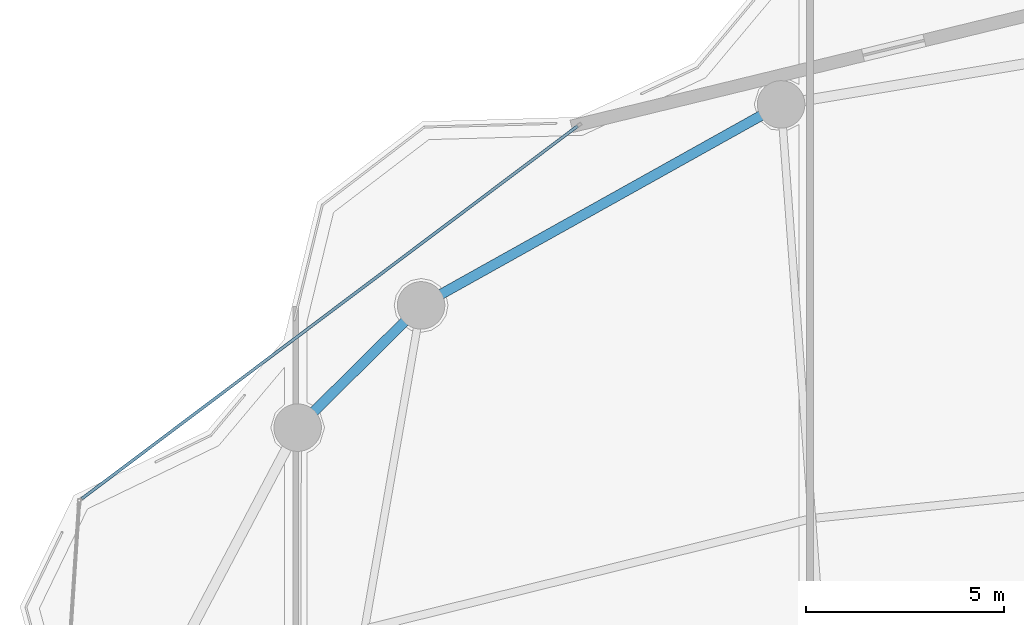
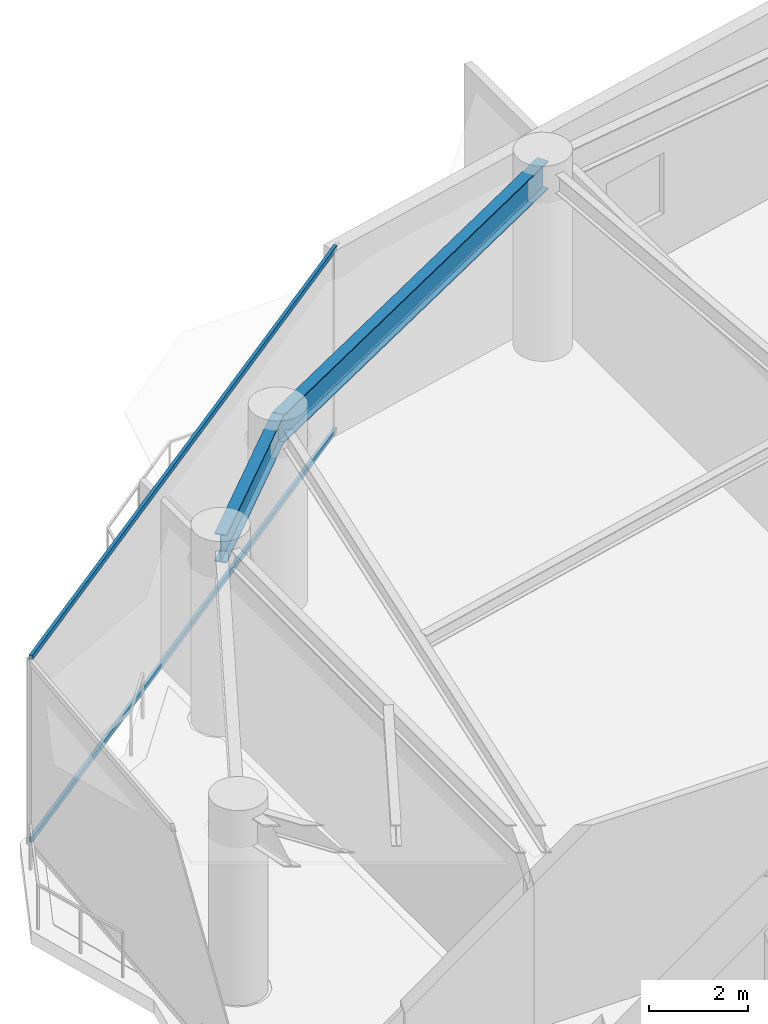
# One storey, part 17 of 30: 2 beams, 2 members, 1 element without a shape of its own.
"""IFC4 building model written with IfcOpenShell, lengths in metres."""

from ifc_helpers import new_model, si_unit, direction, frame, origin, origin_2d, place, context, subcontext, project, spatial, hollow_rectangle, i_section, extrude, material, layer, layer_set, material_profile, profile_set, type_object, element, aggregate, save


model = new_model("IFC4")

# Units and contexts
model_context = context("Model", 3, precision=1e-05, world=origin(), true_north=direction((0.0, 1.0)))
body_context = subcontext(model_context, "Body", "Model", "MODEL_VIEW")
ifc_project = project(units=[si_unit("LENGTHUNIT", "METRE"), si_unit("AREAUNIT", "SQUARE_METRE"), si_unit("VOLUMEUNIT", "CUBIC_METRE"), si_unit("PLANEANGLEUNIT", "RADIAN"), si_unit("MASSUNIT", "GRAM", prefix="KILO")], contexts=[model_context])

# Site, building, storey
site_placement = place(None, origin())
site = spatial("IfcSite", under=ifc_project, at=site_placement, CompositionType="ELEMENT")
building_placement = place(site_placement, origin())
building = spatial("IfcBuilding", under=site, at=building_placement, Name="Kazevale Care Tower and Concert Hall", CompositionType="ELEMENT")
storey_placement = place(building_placement, frame((0.0, 0.0, 97.800048828125)))
storey = spatial("IfcBuildingStorey", under=building, at=storey_placement, Name="L25", CompositionType="ELEMENT", Elevation=97.800048828125)

# Curtain wall, members
ifc_material_1 = material(Name="Aluminium 6063-T6 and Low-E Glass", Category="aluminium")
ifc_layer = layer(ifc_material_1, 0.179931640625)
ifc_layer_set = layer_set([ifc_layer], Name="Aluminium 6063-T6 and Low-E Glass")
curtain_wall_type = type_object("IfcCurtainWallType", Name="Convex Recessed Sunroom Curtain Wall CW-3", PredefinedType="NOTDEFINED", material=ifc_layer_set)
curtain_wall_placement = place(storey_placement, origin())
curtain_wall = element("IfcCurtainWall", 1, at=curtain_wall_placement, inside=storey, type_object=curtain_wall_type, Name="cw:L25:f14", PredefinedType="NOTDEFINED")
ifc_material_2 = material(Name="Aluminium 6063-T6", Category="aluminium")
ifc_material_profile_1 = material_profile(ifc_material_2, hollow_rectangle(XDim=0.074951171875, YDim=0.1201171875, WallThickness=0.00390625, at=origin_2d()), Name="ALU75x120x4")
ifc_profile_set_1 = profile_set([ifc_material_profile_1], Name="Aluminium 6063-T6")
member_type = type_object("IfcMemberType", Name="CW-3 Transom ALU75x120x4", PredefinedType="USERDEFINED", material=ifc_profile_set_1)
member_1_placement = place(storey_placement, frame((16.5888671875, 49.68994140625, 0.037353515625), z_axis=(0.79939444404, 0.600806560249, 0.0), x_axis=(-0.600806560249, 0.79939444404, 0.0)))
member_1 = element("IfcMember", 2, at=member_1_placement, type_object=member_type, Name="CW-3 transom 1.1", ObjectType="TRANSOM", PredefinedType="USERDEFINED", context=body_context, shape_type="SweptSolid", body=[
    extrude(hollow_rectangle(XDim=0.074951171875, YDim=0.1201171875, WallThickness=0.00390625, at=origin_2d()), origin(), (0.0, 0.0, 1.0), 15.685791015625),
])
member_2_placement = place(storey_placement, frame((16.5888671875, 49.68994140625, 4.5224609375), z_axis=(0.79939444404, 0.600806560249, 0.0), x_axis=(-0.600806560249, 0.79939444404, 0.0)))
member_2 = element("IfcMember", 3, at=member_2_placement, type_object=member_type, Name="CW-3 transom 1.2", ObjectType="TRANSOM", PredefinedType="USERDEFINED", context=body_context, shape_type="SweptSolid", body=[
    extrude(hollow_rectangle(XDim=0.074951171875, YDim=0.1201171875, WallThickness=0.00390625, at=origin_2d()), origin(), (0.0, 0.0, 1.0), 15.685791015625),
])
aggregate(curtain_wall, [member_1, member_2])

# Beams
ifc_material_3 = material(Name="Steel ASTM A572 Gr 50", Category="steel")
ifc_material_profile_2 = material_profile(ifc_material_3, i_section(OverallWidth=0.256103515625, OverallDepth=0.693115234375, WebThickness=0.014404296875, FlangeThickness=0.023681640625, at=origin_2d()), Name="W690x170")
ifc_profile_set_2 = profile_set([ifc_material_profile_2], Name="Steel ASTM A572 Gr 50")
beam_type = type_object("IfcBeamType", Name="Waist Ring Beam W690x170", PredefinedType="BEAM", material=ifc_profile_set_2)
beam_1_placement = place(storey_placement, frame((34.27001953125, 59.659912109375, 4.21337890625), z_axis=(-0.873168720251, -0.487418081297, 0.0), x_axis=(0.487418081297, -0.873168720251, 0.0)))
element("IfcBeam", 4, at=beam_1_placement, inside=storey, type_object=beam_type, Name="beam:L25:ring:06", PredefinedType="BEAM", context=body_context, shape_type="SweptSolid", body=[
    extrude(i_section(OverallWidth=0.256103515625, OverallDepth=0.693115234375, WebThickness=0.014404296875, FlangeThickness=0.023681640625, at=origin_2d()), origin(), (0.0, 0.0, 1.0), 10.421875),
])
beam_2_placement = place(storey_placement, frame((25.169921875, 54.580078125, 4.21337890625), z_axis=(-0.710490141585, -0.703707154085, 0.0), x_axis=(0.703707154085, -0.710490141585, 0.0)))
element("IfcBeam", 5, at=beam_2_placement, inside=storey, type_object=beam_type, Name="beam:L25:ring:07", PredefinedType="BEAM", context=body_context, shape_type="SweptSolid", body=[
    extrude(i_section(OverallWidth=0.256103515625, OverallDepth=0.693115234375, WebThickness=0.014404296875, FlangeThickness=0.023681640625, at=origin_2d()), origin(), (0.0, 0.0, 1.0), 4.39111328125),
])

save(model, "model.ifc")
